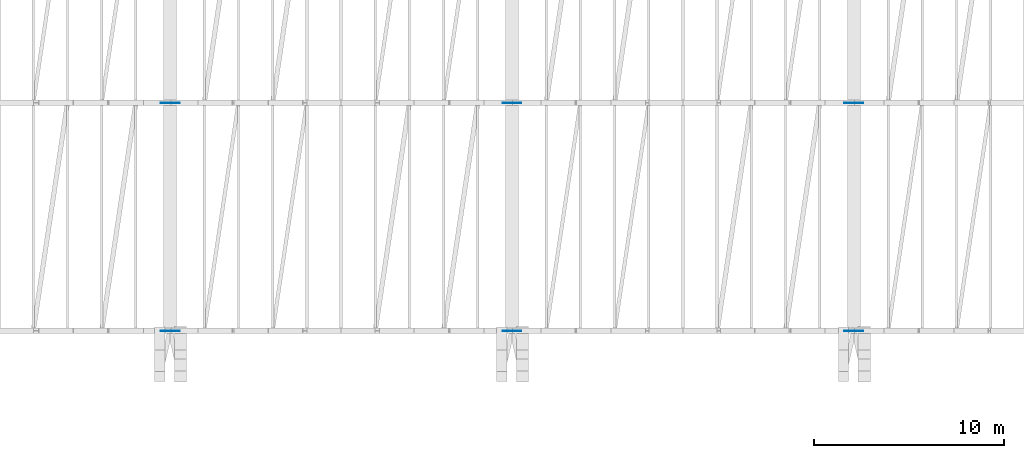
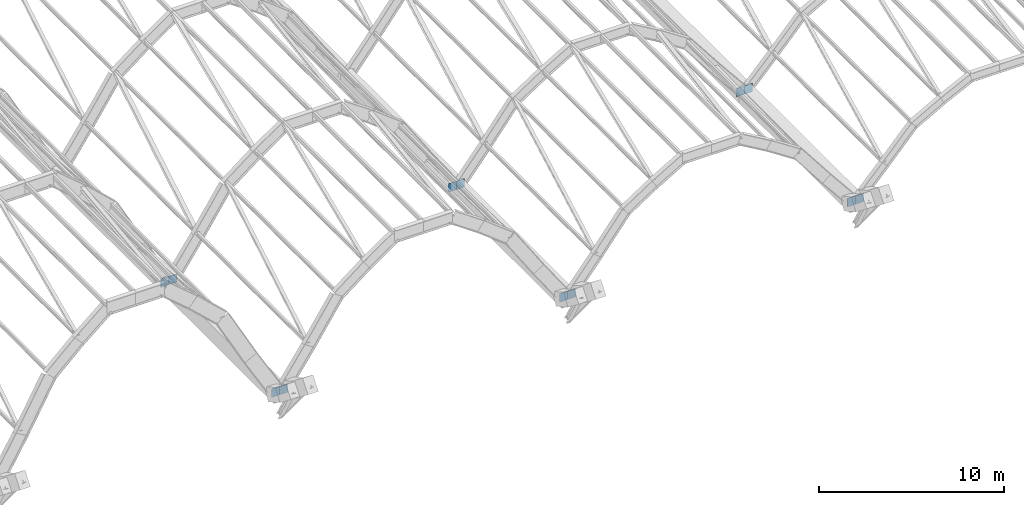
# One storey, part 65 of 86: 12 plates.
"""IFC4 building model written with IfcOpenShell, lengths in metres."""

import ifcopenshell
import ifcopenshell.guid

model = None  # the IFC model being written
_history = None  # IfcOwnerHistory: only IFC2X3 demands one
_inside = {}  # id of a spatial element -> (the spatial element, [elements in it])
_under = {}  # id of a project, library or spatial element -> (it, [spatial elements below it])
_declared = {}  # id of a project -> (the project, [libraries it declares])
_typed = {}  # id of a type object -> (the type object, [elements of that type])
_made_of = {}  # id of a material, layer set ... -> (it, [elements and type objects made of it])


def new_model(schema):
    """Start an empty IFC model of exactly this schema.

    Asked for "IFC4X3", IfcOpenShell would pick the latest addendum, in which some entities
    have other attributes; the version numbers below select the first issue.
    IFC2X3 requires an IfcOwnerHistory on every rooted entity: one is made here for all.
    """
    global model, _history
    if schema == "IFC4X3":
        model = ifcopenshell.file(schema_version=(4, 3, 0, 0))
    else:
        model = ifcopenshell.file(schema=schema)
    _inside.clear()
    _under.clear()
    _declared.clear()
    _typed.clear()
    _made_of.clear()
    _history = None
    if model.schema == "IFC2X3":
        org = make("IfcOrganization", Name="unknown")
        user = make(
            "IfcPersonAndOrganization",
            ThePerson=make("IfcPerson", FamilyName="unknown"),
            TheOrganization=org,
        )
        app = make(
            "IfcApplication",
            ApplicationDeveloper=org,
            Version="unknown",
            ApplicationFullName="unknown",
            ApplicationIdentifier="unknown",
        )
        _history = make(
            "IfcOwnerHistory",
            OwningUser=user,
            OwningApplication=app,
            ChangeAction="ADDED",
            CreationDate=0,
        )
    return model


def make(cls, **values):
    """One entity of the class cls with the attributes given. An attribute that is None is left unset."""
    return model.create_entity(
        cls, **{name: value for name, value in values.items() if value is not None}
    )


def rooted(cls, **values):
    """An entity with a GlobalId (a new one), such as an element, a storey or a relation."""
    return make(cls, GlobalId=ifcopenshell.guid.new(), OwnerHistory=_history, **values)


def si_unit(unit_type, name, prefix=None):
    """IfcSIUnit, for example si_unit("LENGTHUNIT", "METRE", prefix="MILLI")."""
    return make("IfcSIUnit", UnitType=unit_type, Prefix=prefix, Name=name)


def assignment(units):
    """IfcUnitAssignment: the units of a project."""
    return None if units is None else make("IfcUnitAssignment", Units=units)


def point(xyz):
    """IfcCartesianPoint."""
    return None if xyz is None else make("IfcCartesianPoint", Coordinates=xyz)


def direction(xyz):
    """IfcDirection."""
    return None if xyz is None else make("IfcDirection", DirectionRatios=xyz)


def frame(location, z_axis=None, x_axis=None):
    """IfcAxis2Placement3D, a coordinate frame: its origin and axes. An axis left out is left unset."""
    return make(
        "IfcAxis2Placement3D",
        Location=point(location),
        Axis=direction(z_axis),
        RefDirection=direction(x_axis),
    )


def frame_2d(location, x_axis=None):
    """IfcAxis2Placement2D, a coordinate frame in the plane: its origin and x axis."""
    return make(
        "IfcAxis2Placement2D", Location=point(location), RefDirection=direction(x_axis)
    )


def origin():
    """The frame at (0, 0, 0) with its axes left unset."""
    return frame((0.0, 0.0, 0.0))


def origin_2d():
    """The frame at (0, 0) in the plane with its x axis left unset."""
    return frame_2d((0.0, 0.0))


def place(relative_to, where):
    """IfcLocalPlacement: puts the frame where relative to a parent placement (None: the world)."""
    return make(
        "IfcLocalPlacement", PlacementRelTo=relative_to, RelativePlacement=where
    )


def context(
    kind, dimensions, precision=None, world=None, true_north=None, identifier=None
):
    """IfcGeometricRepresentationContext, for example the 3D "Model" context."""
    return make(
        "IfcGeometricRepresentationContext",
        ContextIdentifier=identifier,
        ContextType=kind,
        CoordinateSpaceDimension=dimensions,
        Precision=precision,
        WorldCoordinateSystem=world,
        TrueNorth=true_north,
    )


def subcontext(parent, identifier, kind, view, scale=None):
    """IfcGeometricRepresentationSubContext, for example "Body" below "Model"."""
    return make(
        "IfcGeometricRepresentationSubContext",
        ContextIdentifier=identifier,
        ContextType=kind,
        ParentContext=parent,
        TargetScale=scale,
        TargetView=view,
    )


def project(units=None, contexts=None):
    """IfcProject with its units and contexts."""
    return rooted(
        "IfcProject",
        Name="project",
        RepresentationContexts=contexts,
        UnitsInContext=assignment(units),
    )


def spatial(cls, under=None, at=None, **own):
    """A site, building, storey or space (cls), placed at a placement, below another one or the project."""
    s = rooted(cls, ObjectPlacement=at, **own)
    if under is not None:
        _under.setdefault(under.id(), (under, []))[1].append(s)
    return s


def profile(cls, at=None, kind="AREA", **sizes):
    """A parametric profile (cls). Its sizes go by their IFC names, for example OverallWidth=200.0."""
    return make(cls, ProfileType=kind, Position=at, **sizes)


def rectangle(**sizes):
    """IfcRectangleProfileDef."""
    return profile("IfcRectangleProfileDef", **sizes)


def extrude(swept, where, along, depth):
    """IfcExtrudedAreaSolid: the profile swept, set in the frame where, extruded along a direction by depth."""
    return make(
        "IfcExtrudedAreaSolid",
        SweptArea=swept,
        Position=where,
        ExtrudedDirection=direction(along),
        Depth=depth,
    )


def shape(context_of_items, identifier, shape_type, items):
    """IfcShapeRepresentation: the items that make up one representation, for example the "Body"."""
    return make(
        "IfcShapeRepresentation",
        ContextOfItems=context_of_items,
        RepresentationIdentifier=identifier,
        RepresentationType=shape_type,
        Items=items,
    )


def material(Name=None, Category=None):
    """IfcMaterial."""
    return make("IfcMaterial", Name=Name, Category=Category)


def layer(
    of_material, thickness, ventilated=None, Name=None, Category=None, Priority=None
):
    """IfcMaterialLayer: one layer of a wall or slab, of a material (None: an air gap)."""
    return make(
        "IfcMaterialLayer",
        Material=of_material,
        LayerThickness=thickness,
        IsVentilated=ventilated,
        Name=Name,
        Category=Category,
        Priority=Priority,
    )


def layer_set(layers, Name=None):
    """IfcMaterialLayerSet."""
    return make("IfcMaterialLayerSet", MaterialLayers=layers, LayerSetName=Name)


def made_of(thing, what):
    """Note that an element or type object is made of a material, layer set ...; save() writes the relation."""
    if what is not None:
        _made_of.setdefault(what.id(), (what, []))[1].append(thing)
    return thing


def type_object(cls, material=None, **own):
    """A type object (cls), such as IfcWallType, which elements share."""
    return made_of(rooted(cls, **own), material)


def element(
    cls,
    number,
    at=None,
    inside=None,
    cuts=None,
    type_object=None,
    material=None,
    context=None,
    identifier="Body",
    shape_type=None,
    held_by="IfcProductDefinitionShape",
    body=None,
    shapes=None,
    **own,
):
    """One element of the class cls, such as IfcWall. Its Tag is "e" and its number.

    at: its placement. inside: the storey or other place that contains it. cuts: it is an
    opening in that element (IfcRelVoidsElement). A single representation is given by context,
    identifier, shape_type and body (its items); several are given by shapes. held_by: the class
    of the entity that holds the representations. save() writes the other relations.
    """
    e = rooted(cls, Tag="e%d" % number, ObjectPlacement=at, **own)
    if body is not None:
        shapes = [shape(context, identifier, shape_type, body)]
    if shapes is not None:
        e.Representation = make(held_by, Representations=shapes)
    if inside is not None:
        _inside.setdefault(inside.id(), (inside, []))[1].append(e)
    if cuts is not None:
        rooted(
            "IfcRelVoidsElement", RelatingBuildingElement=cuts, RelatedOpeningElement=e
        )
    if type_object is not None:
        _typed.setdefault(type_object.id(), (type_object, []))[1].append(e)
    return made_of(e, material)


def aggregate(whole, parts):
    """IfcRelAggregates: a whole, such as a stair, and the parts it consists of."""
    return rooted("IfcRelAggregates", RelatingObject=whole, RelatedObjects=parts)


def save(model, path):
    """Write the relations noted so far, then the file.

    IfcRelAggregates (storeys below a building ...), IfcRelContainedInSpatialStructure (elements
    in a storey), IfcRelDefinesByType, IfcRelAssociatesMaterial and IfcRelDeclares: one each for
    every whole, place, type object, material and project.
    """
    for whole, parts in _under.values():
        aggregate(whole, parts)
    for where, things in _inside.values():
        rooted(
            "IfcRelContainedInSpatialStructure",
            RelatedElements=things,
            RelatingStructure=where,
        )
    for kind, things in _typed.values():
        rooted("IfcRelDefinesByType", RelatedObjects=things, RelatingType=kind)
    for what, things in _made_of.values():
        rooted("IfcRelAssociatesMaterial", RelatedObjects=things, RelatingMaterial=what)
    for by, libraries in _declared.values():
        rooted("IfcRelDeclares", RelatingContext=by, RelatedDefinitions=libraries)
    model.write(path)


model = new_model("IFC4")

# Units and contexts
model_context = context("Model", 3, precision=1e-05, world=origin(), true_north=direction((0.0, 1.0)))
body_context = subcontext(model_context, "Body", "Model", "MODEL_VIEW")
ifc_project = project(units=[si_unit("LENGTHUNIT", "METRE"), si_unit("AREAUNIT", "SQUARE_METRE"), si_unit("VOLUMEUNIT", "CUBIC_METRE"), si_unit("PLANEANGLEUNIT", "RADIAN"), si_unit("MASSUNIT", "GRAM", prefix="KILO")], contexts=[model_context])

# Site, building, storey
site_placement = place(None, origin())
site = spatial("IfcSite", under=ifc_project, at=site_placement, CompositionType="ELEMENT")
building_placement = place(site_placement, origin())
building = spatial("IfcBuilding", under=site, at=building_placement, Name="Chuanluo Vaults Station", CompositionType="ELEMENT")
storey_placement = place(building_placement, frame((0.0, 0.0, 14.39990234375)))
storey = spatial("IfcBuildingStorey", under=building, at=storey_placement, Name="L03", CompositionType="ELEMENT", Elevation=14.39990234375)

# Plates
ifc_material = material(Name="Steel Q390C", Category="steel")
ifc_layer = layer(ifc_material, 0.028076171875)
ifc_layer_set = layer_set([ifc_layer], Name="Steel Q390C")
plate_type = type_object("IfcPlateType", Name="PLT-GUS-28", PredefinedType="USERDEFINED", material=ifc_layer_set)
for number, where, z_axis, x_axis, name in (
    (1, (71.75, 18.0, -0.875), (0.0, 0.0, 1.0), (1.0, 0.0, 0.0), "Vault V4 skewback node plate 1-E"),
    (2, (71.75, 30.0, -0.875), (0.0, 0.0, 1.0), (1.0, 0.0, 0.0), "Vault V4 skewback node plate 2-E"),
    (3, (72.25, 18.0, -0.875), (0.0, 0.0, 1.0), (1.0, 0.0, 0.0), "Vault V5 skewback node plate 1-W"),
    (4, (89.75, 18.0, -0.875), (0.0, 0.0, 1.0), (1.0, 0.0, 0.0), "Vault V5 skewback node plate 1-E"),
    (5, (72.25, 30.0, -0.875), (0.0, 0.0, 1.0), (1.0, 0.0, 0.0), "Vault V5 skewback node plate 2-W"),
    (6, (89.75, 30.0, -0.875), (0.0, 0.0, 1.0), (1.0, 0.0, 0.0), "Vault V5 skewback node plate 2-E"),
    (7, (90.25, 18.0, -0.875), (0.0, 0.0, 1.0), (1.0, 0.0, 0.0), "Vault V6 skewback node plate 1-W"),
    (8, (107.75, 18.0, -0.875), (0.0, 0.0, 1.0), (1.0, 0.0, 0.0), "Vault V6 skewback node plate 1-E"),
    (9, (90.25, 30.0, -0.875), (0.0, 0.0, 1.0), (1.0, 0.0, 0.0), "Vault V6 skewback node plate 2-W"),
    (10, (107.75, 30.0, -0.875), (0.0, 0.0, 1.0), (1.0, 0.0, 0.0), "Vault V6 skewback node plate 2-E"),
    (11, (108.25, 18.0, -0.875), (0.0, 0.0, 1.0), (1.0, 0.0, 0.0), "Vault V7 skewback node plate 1-W"),
    (12, (108.25, 30.0, -0.875), (0.0, 0.0, 1.0), (1.0, 0.0, 0.0), "Vault V7 skewback node plate 2-W"),
):
    element("IfcPlate", number, at=place(storey_placement, frame(where, z_axis=z_axis, x_axis=x_axis)), inside=storey, type_object=plate_type, Name=name, ObjectType="GUSSET_PLATE", PredefinedType="USERDEFINED", context=body_context, shape_type="SweptSolid", body=[
        extrude(rectangle(XDim=0.5, YDim=0.028076171875, at=origin_2d()), origin(), (0.0, 0.0, 1.0), 0.550048828125),
    ])

save(model, "model.ifc")
